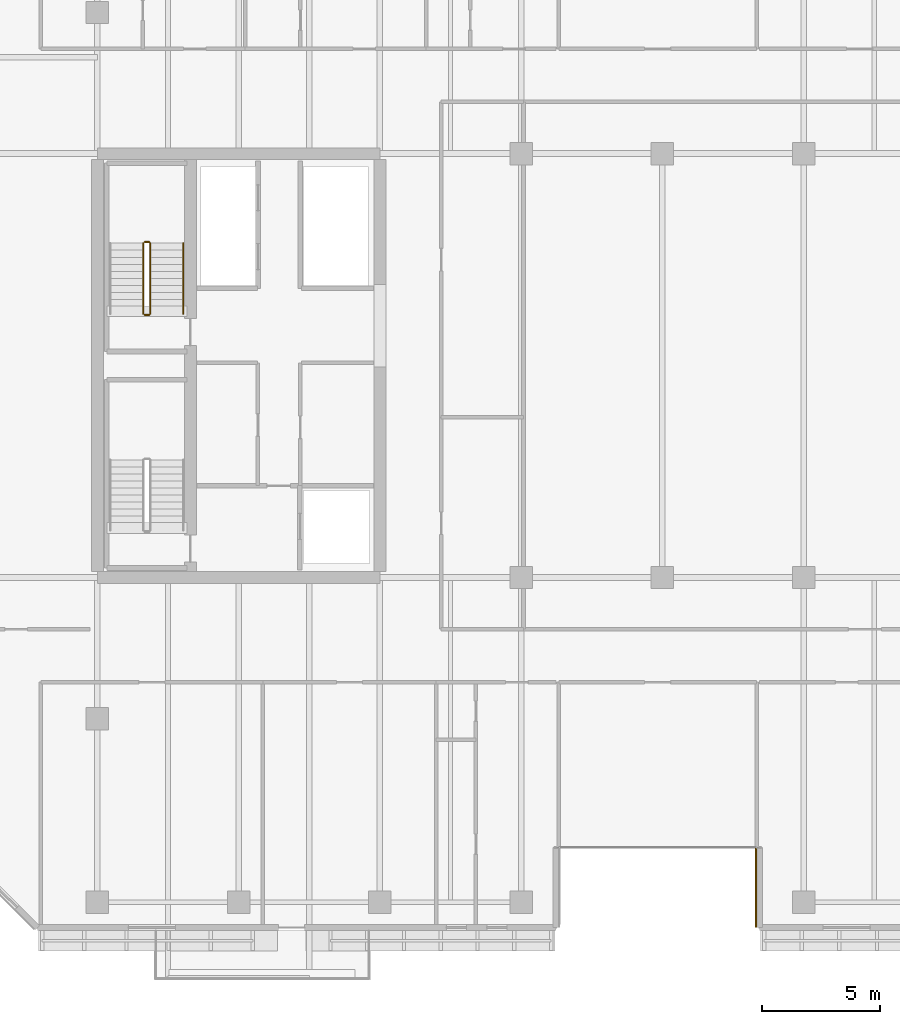
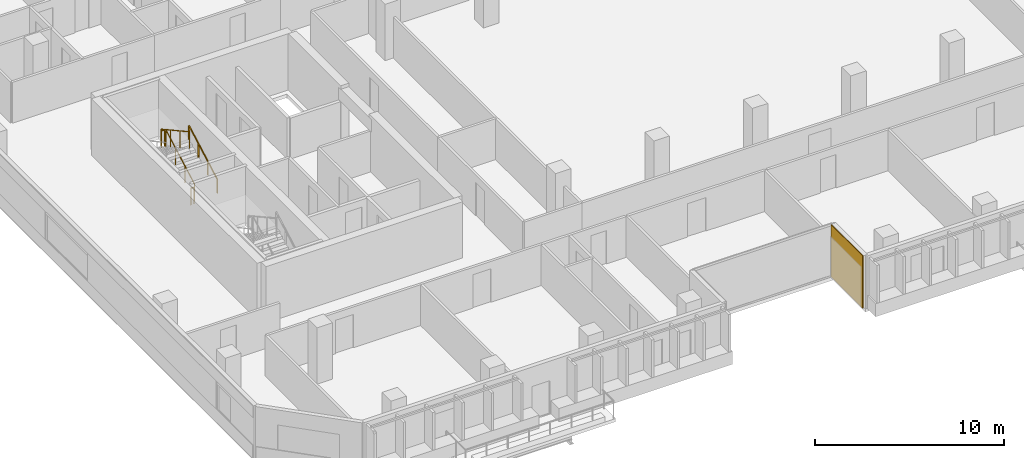
# One storey, part 19 of 22: 5 railings, 1 covering.
"""IFC4 building model written with IfcOpenShell, lengths in metres."""

from ifc_helpers import new_model, si_unit, direction, frame, origin, origin_2d, place, context, subcontext, project, spatial, rectangle, extrude, material, layer, layer_set, type_object, element, save


model = new_model("IFC4")

# Units and contexts
model_context = context("Model", 3, precision=1e-05, world=origin(), true_north=direction((0.0, 1.0)))
body_context = subcontext(model_context, "Body", "Model", "MODEL_VIEW")
ifc_project = project(units=[si_unit("LENGTHUNIT", "METRE"), si_unit("AREAUNIT", "SQUARE_METRE"), si_unit("VOLUMEUNIT", "CUBIC_METRE"), si_unit("PLANEANGLEUNIT", "RADIAN"), si_unit("MASSUNIT", "GRAM", prefix="KILO")], contexts=[model_context])

# Site, building, storey
site_placement = place(None, origin())
site = spatial("IfcSite", under=ifc_project, at=site_placement, CompositionType="ELEMENT")
building_placement = place(site_placement, origin())
building = spatial("IfcBuilding", under=site, at=building_placement, Name="Tanjung Sevakor Pilgrim Tower", CompositionType="ELEMENT")
storey_placement = place(building_placement, frame((0.0, 0.0, 115.830078125)))
storey = spatial("IfcBuildingStorey", under=building, at=storey_placement, Name="L32", CompositionType="ELEMENT", Elevation=115.830078125)

# Covering
ifc_material_1 = material(Name="Reconstructed Limestone Cladding", Category="masonry")
ifc_layer = layer(ifc_material_1, 0.044921875)
ifc_layer_set = layer_set([ifc_layer], Name="COV-CLAD-LIMESTONE")
covering_type = type_object("IfcCoveringType", Name="COV-CLAD-LIMESTONE", PredefinedType="CLADDING", material=ifc_layer_set)
covering_placement = place(storey_placement, frame((51.9775390625, 11.425048828125, 0.019775390625), z_axis=(0.0, 0.0, 1.0), x_axis=(0.0, -1.0, 0.0)))
element("IfcCovering", 1, at=covering_placement, inside=storey, type_object=covering_type, Name="L32 Warm Limestone Wall Cladding EW-L32-MAIN-4", PredefinedType="CLADDING", context=body_context, shape_type="SweptSolid", body=[
    extrude(rectangle(XDim=3.360107421875, YDim=0.044921875, at=origin_2d()), origin(), (0.0, 0.0, 1.0), 3.3701171875),
])

# Railings
ifc_material_2 = material(Name="Steel S355J2", Category="steel")
railing_type_1 = type_object("IfcRailingType", Name="RL-STAIR-GUARD", PredefinedType="GUARDRAIL", material=ifc_material_2)
railing_1_placement = place(storey_placement, frame((26.25, 35.800048828125, 0.1650390625)))
element("IfcRailing", 2, at=railing_1_placement, inside=storey, type_object=railing_type_1, Name="L32 TS-W2 stair guard 1", PredefinedType="GUARDRAIL", context=body_context, shape_type="SweptSolid", body=[
    extrude(rectangle(XDim=0.0479, YDim=0.0479), frame((0.0, 0.0, 1.076171875), z_axis=(0.0, 0.876227952683, 0.48189685093), x_axis=(-1.0, 0.0, 0.0)), (0.0, 0.0, 1.0), 3.423828125),
    extrude(rectangle(XDim=0.042, YDim=0.042), origin(), (0.0, 0.0, 1.0), 1.052001953125),
    extrude(rectangle(XDim=0.042, YDim=0.042), frame((0.0, 1.0, 0.550048828125)), (0.0, 0.0, 1.0), 1.052001953125),
    extrude(rectangle(XDim=0.042, YDim=0.042), frame((0.0, 2.0, 1.099853515625)), (0.0, 0.0, 1.0), 1.052001953125),
    extrude(rectangle(XDim=0.042, YDim=0.042), frame((0.0, 3.0, 1.64990234375)), (0.0, 0.0, 1.0), 1.052001953125),
])
railing_2_placement = place(storey_placement, frame((26.199951171875, 38.85009765625, 1.81494140625)))
element("IfcRailing", 3, at=railing_2_placement, inside=storey, type_object=railing_type_1, Name="L32 TS-W2 stair guard 2", PredefinedType="GUARDRAIL", context=body_context, shape_type="SweptSolid", body=[
    extrude(rectangle(XDim=0.0479, YDim=0.0479), frame((0.0, 0.0, 1.076171875), z_axis=(-1.0, 0.0, 0.0), x_axis=(0.0, -1.0, 0.0)), (0.0, 0.0, 1.0), 0.199951171875),
    extrude(rectangle(XDim=0.042, YDim=0.042), origin(), (0.0, 0.0, 1.0), 1.052001953125),
    extrude(rectangle(XDim=0.042, YDim=0.042), frame((-0.199951171875, 0.0, 0.0)), (0.0, 0.0, 1.0), 1.052001953125),
])
railing_3_placement = place(storey_placement, frame((25.949951171875, 38.800048828125, 1.97998046875)))
element("IfcRailing", 4, at=railing_3_placement, inside=storey, type_object=railing_type_1, Name="L32 TS-W2 stair guard 3", PredefinedType="GUARDRAIL", context=body_context, shape_type="SweptSolid", body=[
    extrude(rectangle(XDim=0.0479, YDim=0.0479), frame((0.0, 0.0, 1.076171875), z_axis=(0.0, -0.876227952683, 0.48189685093), x_axis=(1.0, 0.0, 0.0)), (0.0, 0.0, 1.0), 3.423828125),
    extrude(rectangle(XDim=0.042, YDim=0.042), origin(), (0.0, 0.0, 1.0), 1.052001953125),
    extrude(rectangle(XDim=0.042, YDim=0.042), frame((0.0, -1.0, 0.550048828125)), (0.0, 0.0, 1.0), 1.052001953125),
    extrude(rectangle(XDim=0.042, YDim=0.042), frame((0.0, -2.0, 1.099853515625)), (0.0, 0.0, 1.0), 1.052001953125),
    extrude(rectangle(XDim=0.042, YDim=0.042), frame((0.0, -3.0, 1.64990234375)), (0.0, 0.0, 1.0), 1.052001953125),
])
railing_4_placement = place(storey_placement, frame((26.199951171875, 35.75, 0.0)))
element("IfcRailing", 5, at=railing_4_placement, inside=storey, type_object=railing_type_1, Name="L32 TS-W2 stair guard 4", PredefinedType="GUARDRAIL", context=body_context, shape_type="SweptSolid", body=[
    extrude(rectangle(XDim=0.0479, YDim=0.0479), frame((0.0, 0.0, 1.076171875), z_axis=(-1.0, 0.0, 0.0), x_axis=(0.0, -1.0, 0.0)), (0.0, 0.0, 1.0), 0.199951171875),
    extrude(rectangle(XDim=0.042, YDim=0.042), origin(), (0.0, 0.0, 1.0), 1.052001953125),
    extrude(rectangle(XDim=0.042, YDim=0.042), frame((-0.199951171875, 0.0, 0.0)), (0.0, 0.0, 1.0), 1.052001953125),
])
ifc_material_3 = material(Name="Steel S355J2", Category="steel")
railing_type_2 = type_object("IfcRailingType", Name="RL-STAIR-HAND", PredefinedType="HANDRAIL", material=ifc_material_3)
railing_5_placement = place(storey_placement, frame((27.64990234375, 35.800048828125, 0.1650390625)))
element("IfcRailing", 6, at=railing_5_placement, inside=storey, type_object=railing_type_2, Name="L32 TS-W2 stair handrail 1", PredefinedType="HANDRAIL", context=body_context, shape_type="SweptSolid", body=[
    extrude(rectangle(XDim=0.0479, YDim=0.0479), frame((0.0, 0.0, 0.8759765625), z_axis=(0.0, 0.876227952683, 0.48189685093), x_axis=(-1.0, 0.0, 0.0)), (0.0, 0.0, 1.0), 3.423828125),
    extrude(rectangle(XDim=0.042, YDim=0.042), origin(), (0.0, 0.0, 1.0), 0.851806640625),
    extrude(rectangle(XDim=0.042, YDim=0.042), frame((0.0, 1.0, 0.550048828125)), (0.0, 0.0, 1.0), 0.851806640625),
    extrude(rectangle(XDim=0.042, YDim=0.042), frame((0.0, 2.0, 1.099853515625)), (0.0, 0.0, 1.0), 0.851806640625),
    extrude(rectangle(XDim=0.042, YDim=0.042), frame((0.0, 3.0, 1.64990234375)), (0.0, 0.0, 1.0), 0.851806640625),
])

save(model, "model.ifc")
